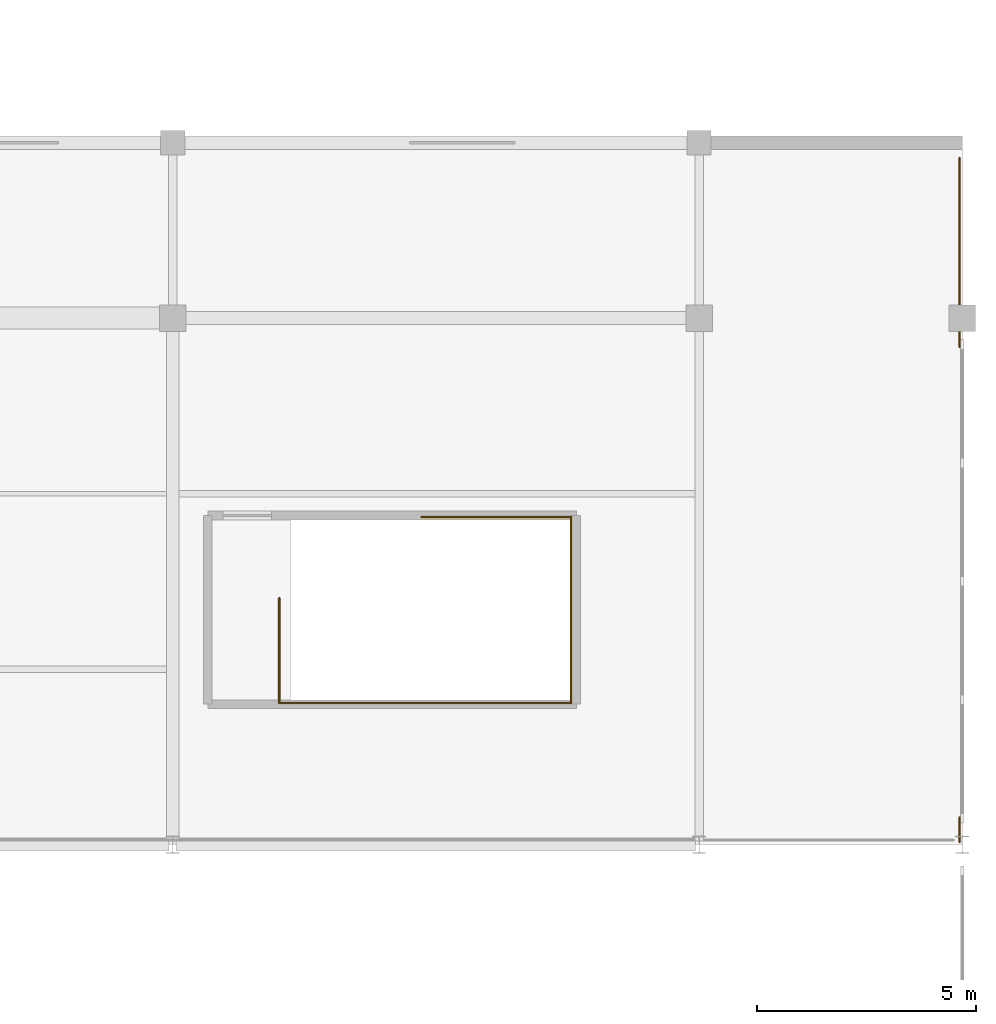
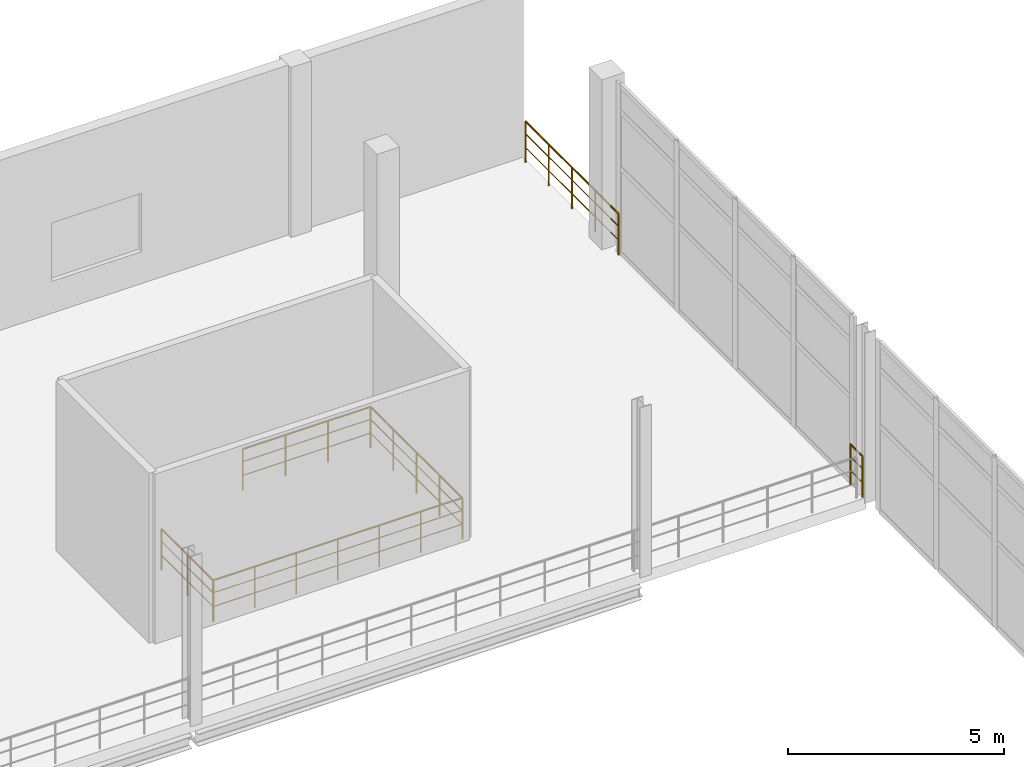
# One storey, part 50 of 52: 6 railings.
"""IFC4 building model written with IfcOpenShell, lengths in metres."""

from ifc_helpers import new_model, si_unit, direction, frame, origin, origin_2d, place, context, subcontext, project, spatial, circle, extrude, material, layer, layer_set, type_object, element, save


model = new_model("IFC4")

# Units and contexts
model_context = context("Model", 3, precision=1e-05, world=origin(), true_north=direction((0.0, 1.0)))
body_context = subcontext(model_context, "Body", "Model", "MODEL_VIEW")
ifc_project = project(units=[si_unit("LENGTHUNIT", "METRE"), si_unit("AREAUNIT", "SQUARE_METRE"), si_unit("VOLUMEUNIT", "CUBIC_METRE"), si_unit("PLANEANGLEUNIT", "RADIAN"), si_unit("MASSUNIT", "GRAM", prefix="KILO"), si_unit("THERMODYNAMICTEMPERATUREUNIT", "KELVIN"), si_unit("POWERUNIT", "WATT")], contexts=[model_context])

# Site, building, storey
site_placement = place(None, origin())
site = spatial("IfcSite", under=ifc_project, at=site_placement, CompositionType="ELEMENT")
building_placement = place(site_placement, origin())
building = spatial("IfcBuilding", under=site, at=building_placement, Name="Solmara Park Aquatics Centre", CompositionType="ELEMENT")
storey_placement = place(building_placement, frame((0.0, 0.0, 9.60009765625)))
storey = spatial("IfcBuildingStorey", under=building, at=storey_placement, Name="L02", CompositionType="ELEMENT", Elevation=9.60009765625)

# Railings
ifc_material_1 = material(Name="Toughened Glass and Stainless Steel Stand Guardrail", Category="steel")
ifc_layer_1 = layer(ifc_material_1, 0.06005859375, Name="Toughened Glass and Stainless Steel Stand Guardrail")
ifc_layer_set_1 = layer_set([ifc_layer_1], Name="Toughened Glass and Stainless Steel Stand Guardrail")
railing_type_1 = type_object("IfcRailingType", Name="ARC-RL-STD110", PredefinedType="GUARDRAIL", material=ifc_layer_set_1)
railing_1_placement = place(storey_placement, frame((161.93994140625, 52.25, 0.0)))
element("IfcRailing", 1, at=railing_1_placement, inside=storey, type_object=railing_type_1, Name="L02 Slab Edge Guardrail 093", PredefinedType="GUARDRAIL", context=body_context, shape_type="SweptSolid", body=[
    extrude(circle(Radius=0.02392578125, at=origin_2d()), frame((0.0, 0.0, 1.15576171875), z_axis=(0.0, -1.0, 0.0), x_axis=(1.0, 0.0, 0.0)), (0.0, 0.0, 1.0), 4.31005859375),
    extrude(circle(Radius=0.01416015625, at=origin_2d()), frame((0.0, 0.0, 0.4130859375), z_axis=(0.0, -1.0, 0.0), x_axis=(1.0, 0.0, 0.0)), (0.0, 0.0, 1.0), 4.31005859375),
    extrude(circle(Radius=0.01416015625, at=origin_2d()), frame((0.0, 0.0, 0.80224609375), z_axis=(0.0, -1.0, 0.0), x_axis=(1.0, 0.0, 0.0)), (0.0, 0.0, 1.0), 4.31005859375),
    extrude(circle(Radius=0.02099609375, at=origin_2d()), origin(), (0.0, 0.0, 1.0), 1.1318359375),
    extrude(circle(Radius=0.02099609375, at=origin_2d()), frame((0.0, -1.07763671875, 0.0)), (0.0, 0.0, 1.0), 1.1318359375),
    extrude(circle(Radius=0.02099609375, at=origin_2d()), frame((0.0, -2.155029296875, 0.0)), (0.0, 0.0, 1.0), 1.1318359375),
    extrude(circle(Radius=0.02099609375, at=origin_2d()), frame((0.0, -3.232421875, 0.0)), (0.0, 0.0, 1.0), 1.1318359375),
    extrude(circle(Radius=0.02099609375, at=origin_2d()), frame((0.0, -4.31005859375, 0.0)), (0.0, 0.0, 1.0), 1.1318359375),
])
railing_2_placement = place(storey_placement, frame((161.93994140625, 37.219970703125, 0.0)))
element("IfcRailing", 2, at=railing_2_placement, inside=storey, type_object=railing_type_1, Name="L02 Slab Edge Guardrail 094", PredefinedType="GUARDRAIL", context=body_context, shape_type="SweptSolid", body=[
    extrude(circle(Radius=0.02392578125, at=origin_2d()), frame((0.0, 0.0, 1.15576171875), z_axis=(0.0, -1.0, 0.0), x_axis=(1.0, 0.0, 0.0)), (0.0, 0.0, 1.0), 0.56005859375),
    extrude(circle(Radius=0.01416015625, at=origin_2d()), frame((0.0, 0.0, 0.4130859375), z_axis=(0.0, -1.0, 0.0), x_axis=(1.0, 0.0, 0.0)), (0.0, 0.0, 1.0), 0.56005859375),
    extrude(circle(Radius=0.01416015625, at=origin_2d()), frame((0.0, 0.0, 0.80224609375), z_axis=(0.0, -1.0, 0.0), x_axis=(1.0, 0.0, 0.0)), (0.0, 0.0, 1.0), 0.56005859375),
    extrude(circle(Radius=0.02099609375, at=origin_2d()), origin(), (0.0, 0.0, 1.0), 1.1318359375),
    extrude(circle(Radius=0.02099609375, at=origin_2d()), frame((0.0, -0.56005859375, 0.0)), (0.0, 0.0, 1.0), 1.1318359375),
])
ifc_material_2 = material(Name="Brushed Stainless Steel Guardrail", Category="steel")
ifc_layer_2 = layer(ifc_material_2, 0.050048828125, Name="Brushed Stainless Steel Guardrail")
ifc_layer_set_2 = layer_set([ifc_layer_2], Name="Brushed Stainless Steel Guardrail")
railing_type_2 = type_object("IfcRailingType", Name="ARC-RL-STR110", PredefinedType="GUARDRAIL", material=ifc_layer_set_2)
railing_3_placement = place(storey_placement, frame((146.429931640625, 39.820068359375, 0.0)))
element("IfcRailing", 3, at=railing_3_placement, inside=storey, type_object=railing_type_2, Name="Diving Pavilion Escape Stair ST-09 (L01-L02) Arrival Well Guardrail", PredefinedType="GUARDRAIL", context=body_context, shape_type="SweptSolid", body=[
    extrude(circle(Radius=0.02392578125, at=origin_2d()), frame((0.0, 0.0, 1.15576171875), z_axis=(0.0, 1.0, 0.0), x_axis=(-1.0, 0.0, 0.0)), (0.0, 0.0, 1.0), 2.39990234375),
    extrude(circle(Radius=0.01416015625, at=origin_2d()), frame((0.0, 0.0, 0.4130859375), z_axis=(0.0, 1.0, 0.0), x_axis=(-1.0, 0.0, 0.0)), (0.0, 0.0, 1.0), 2.39990234375),
    extrude(circle(Radius=0.01416015625, at=origin_2d()), frame((0.0, 0.0, 0.80224609375), z_axis=(0.0, 1.0, 0.0), x_axis=(-1.0, 0.0, 0.0)), (0.0, 0.0, 1.0), 2.39990234375),
    extrude(circle(Radius=0.02099609375, at=origin_2d()), origin(), (0.0, 0.0, 1.0), 1.1318359375),
    extrude(circle(Radius=0.02099609375, at=origin_2d()), frame((0.0, 1.199951171875, 0.0)), (0.0, 0.0, 1.0), 1.1318359375),
    extrude(circle(Radius=0.02099609375, at=origin_2d()), frame((0.0, 2.39990234375, 0.0)), (0.0, 0.0, 1.0), 1.1318359375),
])
railing_4_placement = place(storey_placement, frame((153.080078125, 39.820068359375, 0.0)))
element("IfcRailing", 4, at=railing_4_placement, inside=storey, type_object=railing_type_2, Name="Diving Pavilion Escape Stair ST-09 (L01-L02) Far Well Edge Guardrail", PredefinedType="GUARDRAIL", context=body_context, shape_type="SweptSolid", body=[
    extrude(circle(Radius=0.02392578125, at=origin_2d()), frame((0.0, 0.0, 1.15576171875), z_axis=(0.0, 1.0, 0.0), x_axis=(-1.0, 0.0, 0.0)), (0.0, 0.0, 1.0), 4.260009765625),
    extrude(circle(Radius=0.01416015625, at=origin_2d()), frame((0.0, 0.0, 0.4130859375), z_axis=(0.0, 1.0, 0.0), x_axis=(-1.0, 0.0, 0.0)), (0.0, 0.0, 1.0), 4.260009765625),
    extrude(circle(Radius=0.01416015625, at=origin_2d()), frame((0.0, 0.0, 0.80224609375), z_axis=(0.0, 1.0, 0.0), x_axis=(-1.0, 0.0, 0.0)), (0.0, 0.0, 1.0), 4.260009765625),
    extrude(circle(Radius=0.02099609375, at=origin_2d()), origin(), (0.0, 0.0, 1.0), 1.1318359375),
    extrude(circle(Radius=0.02099609375, at=origin_2d()), frame((0.0, 1.06494140625, 0.0)), (0.0, 0.0, 1.0), 1.1318359375),
    extrude(circle(Radius=0.02099609375, at=origin_2d()), frame((0.0, 2.1298828125, 0.0)), (0.0, 0.0, 1.0), 1.1318359375),
    extrude(circle(Radius=0.02099609375, at=origin_2d()), frame((0.0, 3.195068359375, 0.0)), (0.0, 0.0, 1.0), 1.1318359375),
    extrude(circle(Radius=0.02099609375, at=origin_2d()), frame((0.0, 4.260009765625, 0.0)), (0.0, 0.0, 1.0), 1.1318359375),
])
railing_5_placement = place(storey_placement, frame((146.429931640625, 39.830078125, 0.0)))
element("IfcRailing", 5, at=railing_5_placement, inside=storey, type_object=railing_type_2, Name="Diving Pavilion Escape Stair ST-09 (L01-L02) Top Well South Guardrail", PredefinedType="GUARDRAIL", context=body_context, shape_type="SweptSolid", body=[
    extrude(circle(Radius=0.02392578125, at=origin_2d()), frame((0.0, 0.0, 1.15576171875), z_axis=(1.0, 0.0, 0.0), x_axis=(0.0, 1.0, 0.0)), (0.0, 0.0, 1.0), 6.650146484375),
    extrude(circle(Radius=0.01416015625, at=origin_2d()), frame((0.0, 0.0, 0.4130859375), z_axis=(1.0, 0.0, 0.0), x_axis=(0.0, 1.0, 0.0)), (0.0, 0.0, 1.0), 6.650146484375),
    extrude(circle(Radius=0.01416015625, at=origin_2d()), frame((0.0, 0.0, 0.80224609375), z_axis=(1.0, 0.0, 0.0), x_axis=(0.0, 1.0, 0.0)), (0.0, 0.0, 1.0), 6.650146484375),
    extrude(circle(Radius=0.02099609375, at=origin_2d()), origin(), (0.0, 0.0, 1.0), 1.1318359375),
    extrude(circle(Radius=0.02099609375, at=origin_2d()), frame((1.1083984375, 0.0, 0.0)), (0.0, 0.0, 1.0), 1.1318359375),
    extrude(circle(Radius=0.02099609375, at=origin_2d()), frame((2.216796875, 0.0, 0.0)), (0.0, 0.0, 1.0), 1.1318359375),
    extrude(circle(Radius=0.02099609375, at=origin_2d()), frame((3.3251953125, 0.0, 0.0)), (0.0, 0.0, 1.0), 1.1318359375),
    extrude(circle(Radius=0.02099609375, at=origin_2d()), frame((4.433349609375, 0.0, 0.0)), (0.0, 0.0, 1.0), 1.1318359375),
    extrude(circle(Radius=0.02099609375, at=origin_2d()), frame((5.541748046875, 0.0, 0.0)), (0.0, 0.0, 1.0), 1.1318359375),
    extrude(circle(Radius=0.02099609375, at=origin_2d()), frame((6.650146484375, 0.0, 0.0)), (0.0, 0.0, 1.0), 1.1318359375),
])
railing_6_placement = place(storey_placement, frame((149.669921875, 44.070068359375, 0.0)))
element("IfcRailing", 6, at=railing_6_placement, inside=storey, type_object=railing_type_2, Name="Diving Pavilion Escape Stair ST-09 (L01-L02) Top Well North Guardrail", PredefinedType="GUARDRAIL", context=body_context, shape_type="SweptSolid", body=[
    extrude(circle(Radius=0.02392578125, at=origin_2d()), frame((0.0, 0.0, 1.15576171875), z_axis=(1.0, 0.0, 0.0), x_axis=(0.0, 1.0, 0.0)), (0.0, 0.0, 1.0), 3.41015625),
    extrude(circle(Radius=0.01416015625, at=origin_2d()), frame((0.0, 0.0, 0.4130859375), z_axis=(1.0, 0.0, 0.0), x_axis=(0.0, 1.0, 0.0)), (0.0, 0.0, 1.0), 3.41015625),
    extrude(circle(Radius=0.01416015625, at=origin_2d()), frame((0.0, 0.0, 0.80224609375), z_axis=(1.0, 0.0, 0.0), x_axis=(0.0, 1.0, 0.0)), (0.0, 0.0, 1.0), 3.41015625),
    extrude(circle(Radius=0.02099609375, at=origin_2d()), origin(), (0.0, 0.0, 1.0), 1.1318359375),
    extrude(circle(Radius=0.02099609375, at=origin_2d()), frame((1.13671875, 0.0, 0.0)), (0.0, 0.0, 1.0), 1.1318359375),
    extrude(circle(Radius=0.02099609375, at=origin_2d()), frame((2.2734375, 0.0, 0.0)), (0.0, 0.0, 1.0), 1.1318359375),
    extrude(circle(Radius=0.02099609375, at=origin_2d()), frame((3.41015625, 0.0, 0.0)), (0.0, 0.0, 1.0), 1.1318359375),
])

save(model, "model.ifc")
